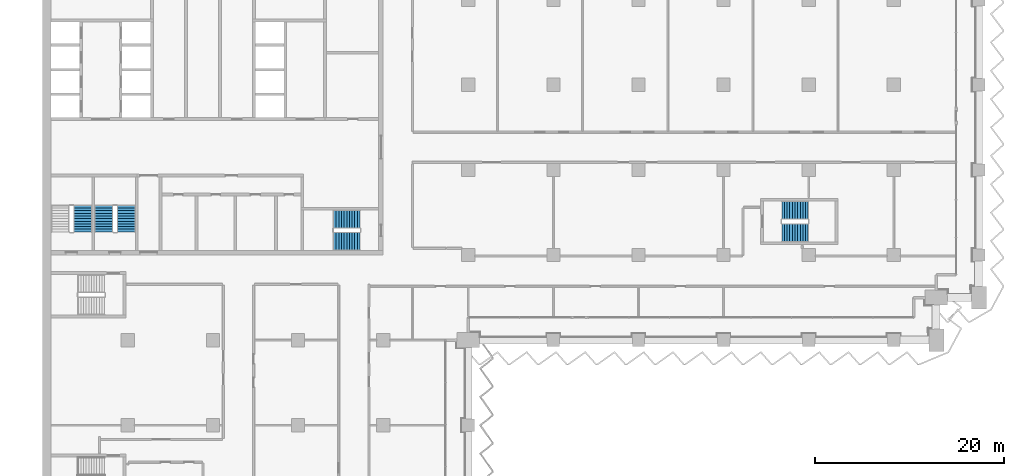
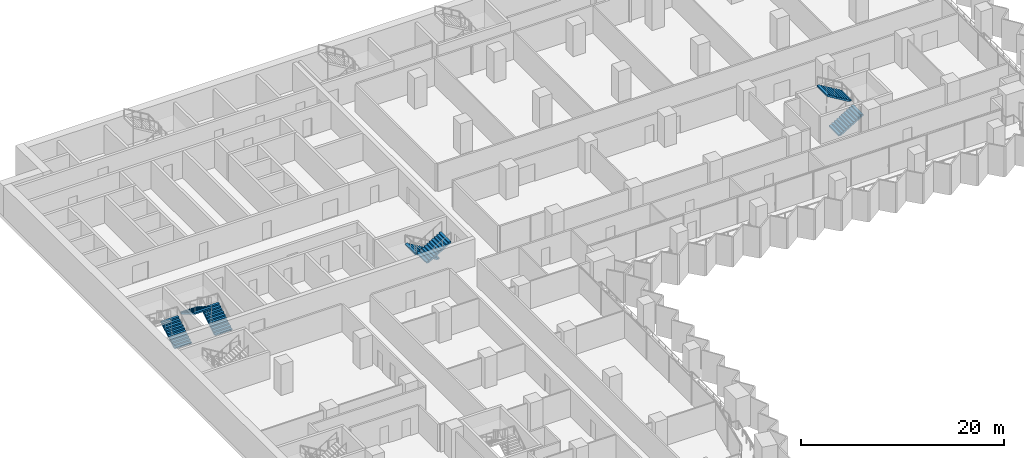
# One storey, part 21 of 29: 7 stair flights, 4 elements without a shape of their own.
"""IFC4 building model written with IfcOpenShell, lengths in metres."""

from ifc_helpers import new_model, si_unit, direction, frame, origin, place, context, subcontext, project, spatial, polyline, outline, extrude, material, type_object, element, aggregate, save


model = new_model("IFC4")

# Units and contexts
model_context = context("Model", 3, precision=1e-05, world=origin(), true_north=direction((0.0, 1.0)))
body_context = subcontext(model_context, "Body", "Model", "MODEL_VIEW")
ifc_project = project(units=[si_unit("LENGTHUNIT", "METRE"), si_unit("AREAUNIT", "SQUARE_METRE"), si_unit("VOLUMEUNIT", "CUBIC_METRE"), si_unit("PLANEANGLEUNIT", "RADIAN"), si_unit("MASSUNIT", "GRAM", prefix="KILO")], contexts=[model_context])

# Site, building, storey
site_placement = place(None, origin())
site = spatial("IfcSite", under=ifc_project, at=site_placement, CompositionType="ELEMENT")
building_placement = place(site_placement, origin())
building = spatial("IfcBuilding", under=site, at=building_placement, Name="Hunhe Ridgeline Campus", CompositionType="ELEMENT")
storey_placement = place(building_placement, frame((0.0, 0.0, 50.60009765625)))
storey = spatial("IfcBuildingStorey", under=building, at=storey_placement, Name="L11", CompositionType="ELEMENT", Elevation=50.60009765625)

# Stair, stair flights
ifc_material = material(Name="Concrete C40", Category="concrete")
stair_type = type_object("IfcStairType", Name="Reinforced concrete dog-leg stair 1950 Concrete C40", PredefinedType="HALF_TURN_STAIR", material=ifc_material)
stair_1_placement = place(storey_placement, origin())
stair_1 = element("IfcStair", 1, at=stair_1_placement, inside=storey, type_object=stair_type, Name="L11 S2", PredefinedType="HALF_TURN_STAIR")
stair_flight_type = type_object("IfcStairFlightType", Name="Reinforced concrete stair flight 1950 Concrete C40", PredefinedType="STRAIGHT", material=ifc_material)
stair_flight_1_placement = place(storey_placement, frame((33.550048828125, 66.77490234375, 0.0), z_axis=(0.0, 0.0, 1.0), x_axis=(-1.0, 0.0, 0.0)))
stair_flight_1 = element("IfcStairFlight", 2, at=stair_flight_1_placement, type_object=stair_flight_type, Name="ST2 flight 1", NumberOfRisers=11, NumberOfTreads=10, PredefinedType="STRAIGHT", RiserHeight=0.168181818, TreadLength=0.28, context=body_context, shape_type="SweptSolid", body=[
    extrude(outline(polyline([(0.0, 0.0), (0.0, 0.168212890625), (0.280029296875, 0.168212890625), (0.280029296875, 0.33642578125), (0.56005859375, 0.33642578125), (0.56005859375, 0.504638671875), (0.840087890625, 0.504638671875), (0.840087890625, 0.672607421875), (1.1201171875, 0.672607421875), (1.1201171875, 0.8408203125), (1.39990234375, 0.8408203125), (1.39990234375, 1.009033203125), (1.679931640625, 1.009033203125), (1.679931640625, 1.17724609375), (1.9599609375, 1.17724609375), (1.9599609375, 1.345458984375), (2.239990234375, 1.345458984375), (2.239990234375, 1.513671875), (2.52001953125, 1.513671875), (2.52001953125, 1.681884765625), (2.800048828125, 1.681884765625), (2.800048828125, 1.85009765625), (2.800048828125, 1.5068359375), (0.291015625, 0.0), (0.0, 0.0)])), frame((0.0, 0.97509765625, 0.0), z_axis=(0.0, -1.0, 0.0), x_axis=(1.0, 0.0, 0.0)), (0.0, 0.0, 1.0), 1.949951171875),
    extrude(outline(polyline([(0.030029296875, 0.030029296875), (0.030029296875, 0.13818359375), (0.31005859375, 0.13818359375), (0.31005859375, 0.306396484375), (0.590087890625, 0.306396484375), (0.590087890625, 0.474609375), (0.8701171875, 0.474609375), (0.8701171875, 0.642578125), (1.14990234375, 0.642578125), (1.14990234375, 0.810791015625), (1.429931640625, 0.810791015625), (1.429931640625, 0.97900390625), (1.7099609375, 0.97900390625), (1.7099609375, 1.147216796875), (1.989990234375, 1.147216796875), (1.989990234375, 1.3154296875), (2.27001953125, 1.3154296875), (2.27001953125, 1.483642578125), (2.550048828125, 1.483642578125), (2.550048828125, 1.65185546875), (2.77001953125, 1.65185546875), (2.77001953125, 1.52392578125), (0.28271484375, 0.030029296875), (0.030029296875, 0.030029296875)])), frame((0.0, -0.070068359375, 0.0), z_axis=(0.0, -1.0, 0.0), x_axis=(1.0, 0.0, 0.0)), (0.0, 0.0, 1.0), 0.019775390625),
    extrude(outline(polyline([(0.030029296875, 0.030029296875), (0.030029296875, 0.13818359375), (0.31005859375, 0.13818359375), (0.31005859375, 0.306396484375), (0.590087890625, 0.306396484375), (0.590087890625, 0.474609375), (0.8701171875, 0.474609375), (0.8701171875, 0.642578125), (1.14990234375, 0.642578125), (1.14990234375, 0.810791015625), (1.429931640625, 0.810791015625), (1.429931640625, 0.97900390625), (1.7099609375, 0.97900390625), (1.7099609375, 1.147216796875), (1.989990234375, 1.147216796875), (1.989990234375, 1.3154296875), (2.27001953125, 1.3154296875), (2.27001953125, 1.483642578125), (2.550048828125, 1.483642578125), (2.550048828125, 1.65185546875), (2.77001953125, 1.65185546875), (2.77001953125, 1.52392578125), (0.28271484375, 0.030029296875), (0.030029296875, 0.030029296875)])), frame((0.0, 0.010009765625, 0.0), z_axis=(0.0, -1.0, 0.0), x_axis=(1.0, 0.0, 0.0)), (0.0, 0.0, 1.0), 0.019775390625),
    extrude(outline(polyline([(0.030029296875, 0.030029296875), (0.030029296875, 0.13818359375), (0.31005859375, 0.13818359375), (0.31005859375, 0.306396484375), (0.590087890625, 0.306396484375), (0.590087890625, 0.474609375), (0.8701171875, 0.474609375), (0.8701171875, 0.642578125), (1.14990234375, 0.642578125), (1.14990234375, 0.810791015625), (1.429931640625, 0.810791015625), (1.429931640625, 0.97900390625), (1.7099609375, 0.97900390625), (1.7099609375, 1.147216796875), (1.989990234375, 1.147216796875), (1.989990234375, 1.3154296875), (2.27001953125, 1.3154296875), (2.27001953125, 1.483642578125), (2.550048828125, 1.483642578125), (2.550048828125, 1.65185546875), (2.77001953125, 1.65185546875), (2.77001953125, 1.52392578125), (0.28271484375, 0.030029296875), (0.030029296875, 0.030029296875)])), frame((0.0, 0.090087890625, 0.0), z_axis=(0.0, -1.0, 0.0), x_axis=(1.0, 0.0, 0.0)), (0.0, 0.0, 1.0), 0.019775390625),
])
stair_flight_2_placement = place(storey_placement, frame((30.75, 64.47509765625, 1.849853515625), z_axis=(0.0, 0.0, 1.0), x_axis=(1.0, 0.0, 0.0)))
stair_flight_2 = element("IfcStairFlight", 3, at=stair_flight_2_placement, type_object=stair_flight_type, Name="ST2 flight 2", NumberOfRisers=11, NumberOfTreads=10, PredefinedType="STRAIGHT", RiserHeight=0.168181818, TreadLength=0.28, context=body_context, shape_type="SweptSolid", body=[
    extrude(outline(polyline([(0.0, 0.0), (0.0, 0.168212890625), (0.280029296875, 0.168212890625), (0.280029296875, 0.33642578125), (0.56005859375, 0.33642578125), (0.56005859375, 0.504638671875), (0.840087890625, 0.504638671875), (0.840087890625, 0.672607421875), (1.1201171875, 0.672607421875), (1.1201171875, 0.8408203125), (1.39990234375, 0.8408203125), (1.39990234375, 1.009033203125), (1.679931640625, 1.009033203125), (1.679931640625, 1.17724609375), (1.9599609375, 1.17724609375), (1.9599609375, 1.345458984375), (2.239990234375, 1.345458984375), (2.239990234375, 1.513671875), (2.52001953125, 1.513671875), (2.52001953125, 1.681884765625), (2.800048828125, 1.681884765625), (2.800048828125, 1.85009765625), (2.800048828125, 1.5068359375), (0.291015625, 0.0), (0.0, 0.0)])), frame((0.0, 0.97509765625, 0.0), z_axis=(0.0, -1.0, 0.0), x_axis=(1.0, 0.0, 0.0)), (0.0, 0.0, 1.0), 1.949951171875),
    extrude(outline(polyline([(0.030029296875, 0.030029296875), (0.030029296875, 0.13818359375), (0.31005859375, 0.13818359375), (0.31005859375, 0.306396484375), (0.590087890625, 0.306396484375), (0.590087890625, 0.474609375), (0.8701171875, 0.474609375), (0.8701171875, 0.642578125), (1.14990234375, 0.642578125), (1.14990234375, 0.810791015625), (1.429931640625, 0.810791015625), (1.429931640625, 0.97900390625), (1.7099609375, 0.97900390625), (1.7099609375, 1.147216796875), (1.989990234375, 1.147216796875), (1.989990234375, 1.3154296875), (2.27001953125, 1.3154296875), (2.27001953125, 1.483642578125), (2.550048828125, 1.483642578125), (2.550048828125, 1.65185546875), (2.77001953125, 1.65185546875), (2.77001953125, 1.52392578125), (0.28271484375, 0.030029296875), (0.030029296875, 0.030029296875)])), frame((0.0, -0.070068359375, 0.0), z_axis=(0.0, -1.0, 0.0), x_axis=(1.0, 0.0, 0.0)), (0.0, 0.0, 1.0), 0.019775390625),
    extrude(outline(polyline([(0.030029296875, 0.030029296875), (0.030029296875, 0.13818359375), (0.31005859375, 0.13818359375), (0.31005859375, 0.306396484375), (0.590087890625, 0.306396484375), (0.590087890625, 0.474609375), (0.8701171875, 0.474609375), (0.8701171875, 0.642578125), (1.14990234375, 0.642578125), (1.14990234375, 0.810791015625), (1.429931640625, 0.810791015625), (1.429931640625, 0.97900390625), (1.7099609375, 0.97900390625), (1.7099609375, 1.147216796875), (1.989990234375, 1.147216796875), (1.989990234375, 1.3154296875), (2.27001953125, 1.3154296875), (2.27001953125, 1.483642578125), (2.550048828125, 1.483642578125), (2.550048828125, 1.65185546875), (2.77001953125, 1.65185546875), (2.77001953125, 1.52392578125), (0.28271484375, 0.030029296875), (0.030029296875, 0.030029296875)])), frame((0.0, 0.010009765625, 0.0), z_axis=(0.0, -1.0, 0.0), x_axis=(1.0, 0.0, 0.0)), (0.0, 0.0, 1.0), 0.019775390625),
    extrude(outline(polyline([(0.030029296875, 0.030029296875), (0.030029296875, 0.13818359375), (0.31005859375, 0.13818359375), (0.31005859375, 0.306396484375), (0.590087890625, 0.306396484375), (0.590087890625, 0.474609375), (0.8701171875, 0.474609375), (0.8701171875, 0.642578125), (1.14990234375, 0.642578125), (1.14990234375, 0.810791015625), (1.429931640625, 0.810791015625), (1.429931640625, 0.97900390625), (1.7099609375, 0.97900390625), (1.7099609375, 1.147216796875), (1.989990234375, 1.147216796875), (1.989990234375, 1.3154296875), (2.27001953125, 1.3154296875), (2.27001953125, 1.483642578125), (2.550048828125, 1.483642578125), (2.550048828125, 1.65185546875), (2.77001953125, 1.65185546875), (2.77001953125, 1.52392578125), (0.28271484375, 0.030029296875), (0.030029296875, 0.030029296875)])), frame((0.0, 0.090087890625, 0.0), z_axis=(0.0, -1.0, 0.0), x_axis=(1.0, 0.0, 0.0)), (0.0, 0.0, 1.0), 0.019775390625),
])
aggregate(stair_1, [stair_flight_1, stair_flight_2])

# Stair, stair flight
stair_2_placement = place(storey_placement, origin())
stair_2 = element("IfcStair", 4, at=stair_2_placement, inside=storey, type_object=stair_type, Name="L11 S3", PredefinedType="HALF_TURN_STAIR")
stair_flight_3_placement = place(storey_placement, frame((4.22509765625, 65.449951171875, 0.0), z_axis=(0.0, 0.0, 1.0), x_axis=(0.0, 1.0, 0.0)))
stair_flight_3 = element("IfcStairFlight", 5, at=stair_flight_3_placement, type_object=stair_flight_type, Name="ST3 flight 1", NumberOfRisers=11, NumberOfTreads=10, PredefinedType="STRAIGHT", RiserHeight=0.168181818, TreadLength=0.28, context=body_context, shape_type="SweptSolid", body=[
    extrude(outline(polyline([(0.0, 0.0), (0.0, 0.168212890625), (0.280029296875, 0.168212890625), (0.280029296875, 0.33642578125), (0.56005859375, 0.33642578125), (0.56005859375, 0.504638671875), (0.840087890625, 0.504638671875), (0.840087890625, 0.672607421875), (1.1201171875, 0.672607421875), (1.1201171875, 0.8408203125), (1.39990234375, 0.8408203125), (1.39990234375, 1.009033203125), (1.679931640625, 1.009033203125), (1.679931640625, 1.17724609375), (1.9599609375, 1.17724609375), (1.9599609375, 1.345458984375), (2.239990234375, 1.345458984375), (2.239990234375, 1.513671875), (2.52001953125, 1.513671875), (2.52001953125, 1.681884765625), (2.800048828125, 1.681884765625), (2.800048828125, 1.85009765625), (2.800048828125, 1.5068359375), (0.291015625, 0.0), (0.0, 0.0)])), frame((0.0, 0.97509765625, 0.0), z_axis=(0.0, -1.0, 0.0), x_axis=(1.0, 0.0, 0.0)), (0.0, 0.0, 1.0), 1.949951171875),
    extrude(outline(polyline([(0.030029296875, 0.030029296875), (0.030029296875, 0.13818359375), (0.31005859375, 0.13818359375), (0.31005859375, 0.306396484375), (0.590087890625, 0.306396484375), (0.590087890625, 0.474609375), (0.8701171875, 0.474609375), (0.8701171875, 0.642578125), (1.14990234375, 0.642578125), (1.14990234375, 0.810791015625), (1.429931640625, 0.810791015625), (1.429931640625, 0.97900390625), (1.7099609375, 0.97900390625), (1.7099609375, 1.147216796875), (1.989990234375, 1.147216796875), (1.989990234375, 1.3154296875), (2.27001953125, 1.3154296875), (2.27001953125, 1.483642578125), (2.550048828125, 1.483642578125), (2.550048828125, 1.65185546875), (2.77001953125, 1.65185546875), (2.77001953125, 1.52392578125), (0.28271484375, 0.030029296875), (0.030029296875, 0.030029296875)])), frame((0.0, -0.070068359375, 0.0), z_axis=(0.0, -1.0, 0.0), x_axis=(1.0, 0.0, 0.0)), (0.0, 0.0, 1.0), 0.019775390625),
    extrude(outline(polyline([(0.030029296875, 0.030029296875), (0.030029296875, 0.13818359375), (0.31005859375, 0.13818359375), (0.31005859375, 0.306396484375), (0.590087890625, 0.306396484375), (0.590087890625, 0.474609375), (0.8701171875, 0.474609375), (0.8701171875, 0.642578125), (1.14990234375, 0.642578125), (1.14990234375, 0.810791015625), (1.429931640625, 0.810791015625), (1.429931640625, 0.97900390625), (1.7099609375, 0.97900390625), (1.7099609375, 1.147216796875), (1.989990234375, 1.147216796875), (1.989990234375, 1.3154296875), (2.27001953125, 1.3154296875), (2.27001953125, 1.483642578125), (2.550048828125, 1.483642578125), (2.550048828125, 1.65185546875), (2.77001953125, 1.65185546875), (2.77001953125, 1.52392578125), (0.28271484375, 0.030029296875), (0.030029296875, 0.030029296875)])), frame((0.0, 0.010009765625, 0.0), z_axis=(0.0, -1.0, 0.0), x_axis=(1.0, 0.0, 0.0)), (0.0, 0.0, 1.0), 0.019775390625),
    extrude(outline(polyline([(0.030029296875, 0.030029296875), (0.030029296875, 0.13818359375), (0.31005859375, 0.13818359375), (0.31005859375, 0.306396484375), (0.590087890625, 0.306396484375), (0.590087890625, 0.474609375), (0.8701171875, 0.474609375), (0.8701171875, 0.642578125), (1.14990234375, 0.642578125), (1.14990234375, 0.810791015625), (1.429931640625, 0.810791015625), (1.429931640625, 0.97900390625), (1.7099609375, 0.97900390625), (1.7099609375, 1.147216796875), (1.989990234375, 1.147216796875), (1.989990234375, 1.3154296875), (2.27001953125, 1.3154296875), (2.27001953125, 1.483642578125), (2.550048828125, 1.483642578125), (2.550048828125, 1.65185546875), (2.77001953125, 1.65185546875), (2.77001953125, 1.52392578125), (0.28271484375, 0.030029296875), (0.030029296875, 0.030029296875)])), frame((0.0, 0.090087890625, 0.0), z_axis=(0.0, -1.0, 0.0), x_axis=(1.0, 0.0, 0.0)), (0.0, 0.0, 1.0), 0.019775390625),
])
aggregate(stair_2, [stair_flight_3])

# Stair, stair flights
stair_3_placement = place(storey_placement, origin())
stair_3 = element("IfcStair", 6, at=stair_3_placement, inside=storey, type_object=stair_type, Name="L11 S4", PredefinedType="HALF_TURN_STAIR")
stair_flight_4_placement = place(storey_placement, frame((8.824951171875, 65.449951171875, 0.0), z_axis=(0.0, 0.0, 1.0), x_axis=(0.0, 1.0, 0.0)))
stair_flight_4 = element("IfcStairFlight", 7, at=stair_flight_4_placement, type_object=stair_flight_type, Name="ST4 flight 1", NumberOfRisers=11, NumberOfTreads=10, PredefinedType="STRAIGHT", RiserHeight=0.168181818, TreadLength=0.28, context=body_context, shape_type="SweptSolid", body=[
    extrude(outline(polyline([(0.0, 0.0), (0.0, 0.168212890625), (0.280029296875, 0.168212890625), (0.280029296875, 0.33642578125), (0.56005859375, 0.33642578125), (0.56005859375, 0.504638671875), (0.840087890625, 0.504638671875), (0.840087890625, 0.672607421875), (1.1201171875, 0.672607421875), (1.1201171875, 0.8408203125), (1.39990234375, 0.8408203125), (1.39990234375, 1.009033203125), (1.679931640625, 1.009033203125), (1.679931640625, 1.17724609375), (1.9599609375, 1.17724609375), (1.9599609375, 1.345458984375), (2.239990234375, 1.345458984375), (2.239990234375, 1.513671875), (2.52001953125, 1.513671875), (2.52001953125, 1.681884765625), (2.800048828125, 1.681884765625), (2.800048828125, 1.85009765625), (2.800048828125, 1.5068359375), (0.291015625, 0.0), (0.0, 0.0)])), frame((0.0, 0.97509765625, 0.0), z_axis=(0.0, -1.0, 0.0), x_axis=(1.0, 0.0, 0.0)), (0.0, 0.0, 1.0), 1.949951171875),
    extrude(outline(polyline([(0.030029296875, 0.030029296875), (0.030029296875, 0.13818359375), (0.31005859375, 0.13818359375), (0.31005859375, 0.306396484375), (0.590087890625, 0.306396484375), (0.590087890625, 0.474609375), (0.8701171875, 0.474609375), (0.8701171875, 0.642578125), (1.14990234375, 0.642578125), (1.14990234375, 0.810791015625), (1.429931640625, 0.810791015625), (1.429931640625, 0.97900390625), (1.7099609375, 0.97900390625), (1.7099609375, 1.147216796875), (1.989990234375, 1.147216796875), (1.989990234375, 1.3154296875), (2.27001953125, 1.3154296875), (2.27001953125, 1.483642578125), (2.550048828125, 1.483642578125), (2.550048828125, 1.65185546875), (2.77001953125, 1.65185546875), (2.77001953125, 1.52392578125), (0.28271484375, 0.030029296875), (0.030029296875, 0.030029296875)])), frame((0.0, -0.070068359375, 0.0), z_axis=(0.0, -1.0, 0.0), x_axis=(1.0, 0.0, 0.0)), (0.0, 0.0, 1.0), 0.019775390625),
    extrude(outline(polyline([(0.030029296875, 0.030029296875), (0.030029296875, 0.13818359375), (0.31005859375, 0.13818359375), (0.31005859375, 0.306396484375), (0.590087890625, 0.306396484375), (0.590087890625, 0.474609375), (0.8701171875, 0.474609375), (0.8701171875, 0.642578125), (1.14990234375, 0.642578125), (1.14990234375, 0.810791015625), (1.429931640625, 0.810791015625), (1.429931640625, 0.97900390625), (1.7099609375, 0.97900390625), (1.7099609375, 1.147216796875), (1.989990234375, 1.147216796875), (1.989990234375, 1.3154296875), (2.27001953125, 1.3154296875), (2.27001953125, 1.483642578125), (2.550048828125, 1.483642578125), (2.550048828125, 1.65185546875), (2.77001953125, 1.65185546875), (2.77001953125, 1.52392578125), (0.28271484375, 0.030029296875), (0.030029296875, 0.030029296875)])), frame((0.0, 0.010009765625, 0.0), z_axis=(0.0, -1.0, 0.0), x_axis=(1.0, 0.0, 0.0)), (0.0, 0.0, 1.0), 0.019775390625),
    extrude(outline(polyline([(0.030029296875, 0.030029296875), (0.030029296875, 0.13818359375), (0.31005859375, 0.13818359375), (0.31005859375, 0.306396484375), (0.590087890625, 0.306396484375), (0.590087890625, 0.474609375), (0.8701171875, 0.474609375), (0.8701171875, 0.642578125), (1.14990234375, 0.642578125), (1.14990234375, 0.810791015625), (1.429931640625, 0.810791015625), (1.429931640625, 0.97900390625), (1.7099609375, 0.97900390625), (1.7099609375, 1.147216796875), (1.989990234375, 1.147216796875), (1.989990234375, 1.3154296875), (2.27001953125, 1.3154296875), (2.27001953125, 1.483642578125), (2.550048828125, 1.483642578125), (2.550048828125, 1.65185546875), (2.77001953125, 1.65185546875), (2.77001953125, 1.52392578125), (0.28271484375, 0.030029296875), (0.030029296875, 0.030029296875)])), frame((0.0, 0.090087890625, 0.0), z_axis=(0.0, -1.0, 0.0), x_axis=(1.0, 0.0, 0.0)), (0.0, 0.0, 1.0), 0.019775390625),
])
stair_flight_5_placement = place(storey_placement, frame((6.47509765625, 68.25, 1.849853515625), z_axis=(0.0, 0.0, 1.0), x_axis=(0.0, -1.0, 0.0)))
stair_flight_5 = element("IfcStairFlight", 8, at=stair_flight_5_placement, type_object=stair_flight_type, Name="ST4 flight 2", NumberOfRisers=11, NumberOfTreads=10, PredefinedType="STRAIGHT", RiserHeight=0.168181818, TreadLength=0.28, context=body_context, shape_type="SweptSolid", body=[
    extrude(outline(polyline([(0.0, 0.0), (0.0, 0.168212890625), (0.280029296875, 0.168212890625), (0.280029296875, 0.33642578125), (0.56005859375, 0.33642578125), (0.56005859375, 0.504638671875), (0.840087890625, 0.504638671875), (0.840087890625, 0.672607421875), (1.1201171875, 0.672607421875), (1.1201171875, 0.8408203125), (1.39990234375, 0.8408203125), (1.39990234375, 1.009033203125), (1.679931640625, 1.009033203125), (1.679931640625, 1.17724609375), (1.9599609375, 1.17724609375), (1.9599609375, 1.345458984375), (2.239990234375, 1.345458984375), (2.239990234375, 1.513671875), (2.52001953125, 1.513671875), (2.52001953125, 1.681884765625), (2.800048828125, 1.681884765625), (2.800048828125, 1.85009765625), (2.800048828125, 1.5068359375), (0.291015625, 0.0), (0.0, 0.0)])), frame((0.0, 0.97509765625, 0.0), z_axis=(0.0, -1.0, 0.0), x_axis=(1.0, 0.0, 0.0)), (0.0, 0.0, 1.0), 1.949951171875),
    extrude(outline(polyline([(0.030029296875, 0.030029296875), (0.030029296875, 0.13818359375), (0.31005859375, 0.13818359375), (0.31005859375, 0.306396484375), (0.590087890625, 0.306396484375), (0.590087890625, 0.474609375), (0.8701171875, 0.474609375), (0.8701171875, 0.642578125), (1.14990234375, 0.642578125), (1.14990234375, 0.810791015625), (1.429931640625, 0.810791015625), (1.429931640625, 0.97900390625), (1.7099609375, 0.97900390625), (1.7099609375, 1.147216796875), (1.989990234375, 1.147216796875), (1.989990234375, 1.3154296875), (2.27001953125, 1.3154296875), (2.27001953125, 1.483642578125), (2.550048828125, 1.483642578125), (2.550048828125, 1.65185546875), (2.77001953125, 1.65185546875), (2.77001953125, 1.52392578125), (0.28271484375, 0.030029296875), (0.030029296875, 0.030029296875)])), frame((0.0, -0.070068359375, 0.0), z_axis=(0.0, -1.0, 0.0), x_axis=(1.0, 0.0, 0.0)), (0.0, 0.0, 1.0), 0.019775390625),
    extrude(outline(polyline([(0.030029296875, 0.030029296875), (0.030029296875, 0.13818359375), (0.31005859375, 0.13818359375), (0.31005859375, 0.306396484375), (0.590087890625, 0.306396484375), (0.590087890625, 0.474609375), (0.8701171875, 0.474609375), (0.8701171875, 0.642578125), (1.14990234375, 0.642578125), (1.14990234375, 0.810791015625), (1.429931640625, 0.810791015625), (1.429931640625, 0.97900390625), (1.7099609375, 0.97900390625), (1.7099609375, 1.147216796875), (1.989990234375, 1.147216796875), (1.989990234375, 1.3154296875), (2.27001953125, 1.3154296875), (2.27001953125, 1.483642578125), (2.550048828125, 1.483642578125), (2.550048828125, 1.65185546875), (2.77001953125, 1.65185546875), (2.77001953125, 1.52392578125), (0.28271484375, 0.030029296875), (0.030029296875, 0.030029296875)])), frame((0.0, 0.010009765625, 0.0), z_axis=(0.0, -1.0, 0.0), x_axis=(1.0, 0.0, 0.0)), (0.0, 0.0, 1.0), 0.019775390625),
    extrude(outline(polyline([(0.030029296875, 0.030029296875), (0.030029296875, 0.13818359375), (0.31005859375, 0.13818359375), (0.31005859375, 0.306396484375), (0.590087890625, 0.306396484375), (0.590087890625, 0.474609375), (0.8701171875, 0.474609375), (0.8701171875, 0.642578125), (1.14990234375, 0.642578125), (1.14990234375, 0.810791015625), (1.429931640625, 0.810791015625), (1.429931640625, 0.97900390625), (1.7099609375, 0.97900390625), (1.7099609375, 1.147216796875), (1.989990234375, 1.147216796875), (1.989990234375, 1.3154296875), (2.27001953125, 1.3154296875), (2.27001953125, 1.483642578125), (2.550048828125, 1.483642578125), (2.550048828125, 1.65185546875), (2.77001953125, 1.65185546875), (2.77001953125, 1.52392578125), (0.28271484375, 0.030029296875), (0.030029296875, 0.030029296875)])), frame((0.0, 0.090087890625, 0.0), z_axis=(0.0, -1.0, 0.0), x_axis=(1.0, 0.0, 0.0)), (0.0, 0.0, 1.0), 0.019775390625),
])
aggregate(stair_3, [stair_flight_4, stair_flight_5])

stair_4_placement = place(storey_placement, origin())
stair_4 = element("IfcStair", 9, at=stair_4_placement, inside=storey, type_object=stair_type, Name="L11 E5", PredefinedType="HALF_TURN_STAIR")
stair_flight_6_placement = place(storey_placement, frame((78.14990234375, 65.375, 0.0), z_axis=(0.0, 0.0, 1.0), x_axis=(1.0, 0.0, 0.0)))
stair_flight_6 = element("IfcStairFlight", 10, at=stair_flight_6_placement, type_object=stair_flight_type, Name="ST10 flight 1", NumberOfRisers=11, NumberOfTreads=10, PredefinedType="STRAIGHT", RiserHeight=0.168181818, TreadLength=0.28, context=body_context, shape_type="SweptSolid", body=[
    extrude(outline(polyline([(0.0, 0.0), (0.0, 0.168212890625), (0.280029296875, 0.168212890625), (0.280029296875, 0.33642578125), (0.56005859375, 0.33642578125), (0.56005859375, 0.504638671875), (0.840087890625, 0.504638671875), (0.840087890625, 0.672607421875), (1.1201171875, 0.672607421875), (1.1201171875, 0.8408203125), (1.39990234375, 0.8408203125), (1.39990234375, 1.009033203125), (1.679931640625, 1.009033203125), (1.679931640625, 1.17724609375), (1.9599609375, 1.17724609375), (1.9599609375, 1.345458984375), (2.239990234375, 1.345458984375), (2.239990234375, 1.513671875), (2.52001953125, 1.513671875), (2.52001953125, 1.681884765625), (2.800048828125, 1.681884765625), (2.800048828125, 1.85009765625), (2.800048828125, 1.5068359375), (0.291015625, 0.0), (0.0, 0.0)])), frame((0.0, 0.97509765625, 0.0), z_axis=(0.0, -1.0, 0.0), x_axis=(1.0, 0.0, 0.0)), (0.0, 0.0, 1.0), 1.949951171875),
    extrude(outline(polyline([(0.030029296875, 0.030029296875), (0.030029296875, 0.13818359375), (0.31005859375, 0.13818359375), (0.31005859375, 0.306396484375), (0.590087890625, 0.306396484375), (0.590087890625, 0.474609375), (0.8701171875, 0.474609375), (0.8701171875, 0.642578125), (1.14990234375, 0.642578125), (1.14990234375, 0.810791015625), (1.429931640625, 0.810791015625), (1.429931640625, 0.97900390625), (1.7099609375, 0.97900390625), (1.7099609375, 1.147216796875), (1.989990234375, 1.147216796875), (1.989990234375, 1.3154296875), (2.27001953125, 1.3154296875), (2.27001953125, 1.483642578125), (2.550048828125, 1.483642578125), (2.550048828125, 1.65185546875), (2.77001953125, 1.65185546875), (2.77001953125, 1.52392578125), (0.28271484375, 0.030029296875), (0.030029296875, 0.030029296875)])), frame((0.0, -0.070068359375, 0.0), z_axis=(0.0, -1.0, 0.0), x_axis=(1.0, 0.0, 0.0)), (0.0, 0.0, 1.0), 0.019775390625),
    extrude(outline(polyline([(0.030029296875, 0.030029296875), (0.030029296875, 0.13818359375), (0.31005859375, 0.13818359375), (0.31005859375, 0.306396484375), (0.590087890625, 0.306396484375), (0.590087890625, 0.474609375), (0.8701171875, 0.474609375), (0.8701171875, 0.642578125), (1.14990234375, 0.642578125), (1.14990234375, 0.810791015625), (1.429931640625, 0.810791015625), (1.429931640625, 0.97900390625), (1.7099609375, 0.97900390625), (1.7099609375, 1.147216796875), (1.989990234375, 1.147216796875), (1.989990234375, 1.3154296875), (2.27001953125, 1.3154296875), (2.27001953125, 1.483642578125), (2.550048828125, 1.483642578125), (2.550048828125, 1.65185546875), (2.77001953125, 1.65185546875), (2.77001953125, 1.52392578125), (0.28271484375, 0.030029296875), (0.030029296875, 0.030029296875)])), frame((0.0, 0.010009765625, 0.0), z_axis=(0.0, -1.0, 0.0), x_axis=(1.0, 0.0, 0.0)), (0.0, 0.0, 1.0), 0.019775390625),
    extrude(outline(polyline([(0.030029296875, 0.030029296875), (0.030029296875, 0.13818359375), (0.31005859375, 0.13818359375), (0.31005859375, 0.306396484375), (0.590087890625, 0.306396484375), (0.590087890625, 0.474609375), (0.8701171875, 0.474609375), (0.8701171875, 0.642578125), (1.14990234375, 0.642578125), (1.14990234375, 0.810791015625), (1.429931640625, 0.810791015625), (1.429931640625, 0.97900390625), (1.7099609375, 0.97900390625), (1.7099609375, 1.147216796875), (1.989990234375, 1.147216796875), (1.989990234375, 1.3154296875), (2.27001953125, 1.3154296875), (2.27001953125, 1.483642578125), (2.550048828125, 1.483642578125), (2.550048828125, 1.65185546875), (2.77001953125, 1.65185546875), (2.77001953125, 1.52392578125), (0.28271484375, 0.030029296875), (0.030029296875, 0.030029296875)])), frame((0.0, 0.090087890625, 0.0), z_axis=(0.0, -1.0, 0.0), x_axis=(1.0, 0.0, 0.0)), (0.0, 0.0, 1.0), 0.019775390625),
])
stair_flight_7_placement = place(storey_placement, frame((80.949951171875, 67.72509765625, 1.849853515625), z_axis=(0.0, 0.0, 1.0), x_axis=(-1.0, 0.0, 0.0)))
stair_flight_7 = element("IfcStairFlight", 11, at=stair_flight_7_placement, type_object=stair_flight_type, Name="ST10 flight 2", NumberOfRisers=11, NumberOfTreads=10, PredefinedType="STRAIGHT", RiserHeight=0.168181818, TreadLength=0.28, context=body_context, shape_type="SweptSolid", body=[
    extrude(outline(polyline([(0.0, 0.0), (0.0, 0.168212890625), (0.280029296875, 0.168212890625), (0.280029296875, 0.33642578125), (0.56005859375, 0.33642578125), (0.56005859375, 0.504638671875), (0.840087890625, 0.504638671875), (0.840087890625, 0.672607421875), (1.1201171875, 0.672607421875), (1.1201171875, 0.8408203125), (1.39990234375, 0.8408203125), (1.39990234375, 1.009033203125), (1.679931640625, 1.009033203125), (1.679931640625, 1.17724609375), (1.9599609375, 1.17724609375), (1.9599609375, 1.345458984375), (2.239990234375, 1.345458984375), (2.239990234375, 1.513671875), (2.52001953125, 1.513671875), (2.52001953125, 1.681884765625), (2.800048828125, 1.681884765625), (2.800048828125, 1.85009765625), (2.800048828125, 1.5068359375), (0.291015625, 0.0), (0.0, 0.0)])), frame((0.0, 0.97509765625, 0.0), z_axis=(0.0, -1.0, 0.0), x_axis=(1.0, 0.0, 0.0)), (0.0, 0.0, 1.0), 1.949951171875),
    extrude(outline(polyline([(0.030029296875, 0.030029296875), (0.030029296875, 0.13818359375), (0.31005859375, 0.13818359375), (0.31005859375, 0.306396484375), (0.590087890625, 0.306396484375), (0.590087890625, 0.474609375), (0.8701171875, 0.474609375), (0.8701171875, 0.642578125), (1.14990234375, 0.642578125), (1.14990234375, 0.810791015625), (1.429931640625, 0.810791015625), (1.429931640625, 0.97900390625), (1.7099609375, 0.97900390625), (1.7099609375, 1.147216796875), (1.989990234375, 1.147216796875), (1.989990234375, 1.3154296875), (2.27001953125, 1.3154296875), (2.27001953125, 1.483642578125), (2.550048828125, 1.483642578125), (2.550048828125, 1.65185546875), (2.77001953125, 1.65185546875), (2.77001953125, 1.52392578125), (0.28271484375, 0.030029296875), (0.030029296875, 0.030029296875)])), frame((0.0, -0.070068359375, 0.0), z_axis=(0.0, -1.0, 0.0), x_axis=(1.0, 0.0, 0.0)), (0.0, 0.0, 1.0), 0.019775390625),
    extrude(outline(polyline([(0.030029296875, 0.030029296875), (0.030029296875, 0.13818359375), (0.31005859375, 0.13818359375), (0.31005859375, 0.306396484375), (0.590087890625, 0.306396484375), (0.590087890625, 0.474609375), (0.8701171875, 0.474609375), (0.8701171875, 0.642578125), (1.14990234375, 0.642578125), (1.14990234375, 0.810791015625), (1.429931640625, 0.810791015625), (1.429931640625, 0.97900390625), (1.7099609375, 0.97900390625), (1.7099609375, 1.147216796875), (1.989990234375, 1.147216796875), (1.989990234375, 1.3154296875), (2.27001953125, 1.3154296875), (2.27001953125, 1.483642578125), (2.550048828125, 1.483642578125), (2.550048828125, 1.65185546875), (2.77001953125, 1.65185546875), (2.77001953125, 1.52392578125), (0.28271484375, 0.030029296875), (0.030029296875, 0.030029296875)])), frame((0.0, 0.010009765625, 0.0), z_axis=(0.0, -1.0, 0.0), x_axis=(1.0, 0.0, 0.0)), (0.0, 0.0, 1.0), 0.019775390625),
    extrude(outline(polyline([(0.030029296875, 0.030029296875), (0.030029296875, 0.13818359375), (0.31005859375, 0.13818359375), (0.31005859375, 0.306396484375), (0.590087890625, 0.306396484375), (0.590087890625, 0.474609375), (0.8701171875, 0.474609375), (0.8701171875, 0.642578125), (1.14990234375, 0.642578125), (1.14990234375, 0.810791015625), (1.429931640625, 0.810791015625), (1.429931640625, 0.97900390625), (1.7099609375, 0.97900390625), (1.7099609375, 1.147216796875), (1.989990234375, 1.147216796875), (1.989990234375, 1.3154296875), (2.27001953125, 1.3154296875), (2.27001953125, 1.483642578125), (2.550048828125, 1.483642578125), (2.550048828125, 1.65185546875), (2.77001953125, 1.65185546875), (2.77001953125, 1.52392578125), (0.28271484375, 0.030029296875), (0.030029296875, 0.030029296875)])), frame((0.0, 0.090087890625, 0.0), z_axis=(0.0, -1.0, 0.0), x_axis=(1.0, 0.0, 0.0)), (0.0, 0.0, 1.0), 0.019775390625),
])
aggregate(stair_4, [stair_flight_6, stair_flight_7])

save(model, "model.ifc")
